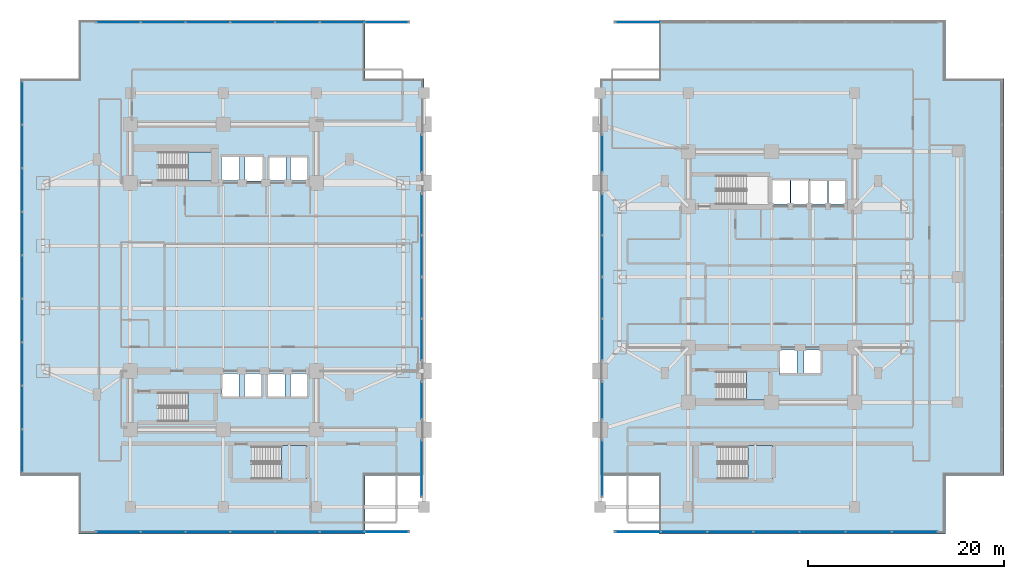
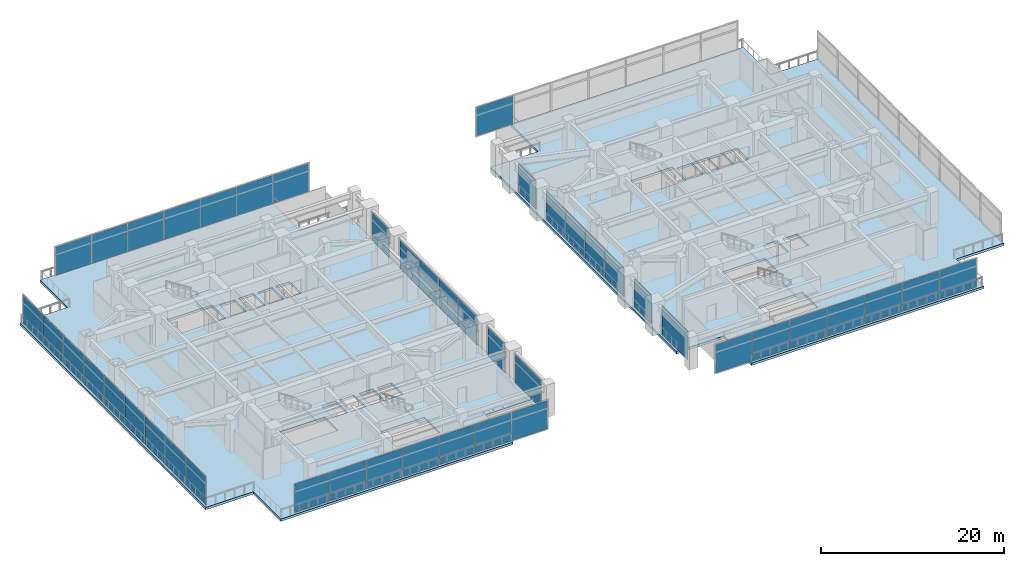
# One storey, part 14 of 31: 45 plates, 7 slabs, 18 elements without a shape of their own.
"""IFC4 building model written with IfcOpenShell, lengths in metres."""

from ifc_helpers import new_model, si_unit, direction, frame, origin, origin_2d, place, context, subcontext, project, spatial, polyline, rectangle, outline, extrude, material, layer, layer_set, type_object, element, aggregate, save


model = new_model("IFC4")

# Units and contexts
model_context = context("Model", 3, precision=1e-05, world=origin(), true_north=direction((0.0, 1.0)))
body_context = subcontext(model_context, "Body", "Model", "MODEL_VIEW")
ifc_project = project(units=[si_unit("LENGTHUNIT", "METRE"), si_unit("AREAUNIT", "SQUARE_METRE"), si_unit("VOLUMEUNIT", "CUBIC_METRE"), si_unit("PLANEANGLEUNIT", "RADIAN"), si_unit("MASSUNIT", "GRAM", prefix="KILO")], contexts=[model_context])

# Site, building, storey
site_placement = place(None, origin())
site = spatial("IfcSite", under=ifc_project, at=site_placement, CompositionType="ELEMENT")
building_placement = place(site_placement, origin())
building = spatial("IfcBuilding", under=site, at=building_placement, Name="Mirazonda Arch Towers", CompositionType="ELEMENT")
storey_placement = place(building_placement, frame((0.0, 0.0, 5.199951171875)))
storey = spatial("IfcBuildingStorey", under=building, at=storey_placement, Name="L01", CompositionType="ELEMENT", Elevation=5.199951171875)

# Curtain wall, plate
ifc_material_1 = material(Name="Anodised Aluminium and Low-E Glass", Category="aluminium")
curtain_wall_type_1 = type_object("IfcCurtainWallType", Name="CW-ARCH-GLAZE", PredefinedType="NOTDEFINED", material=ifc_material_1)
curtain_wall_1_placement = place(storey_placement, origin())
curtain_wall_1 = element("IfcCurtainWall", 1, at=curtain_wall_1_placement, inside=storey, type_object=curtain_wall_type_1, Name="L01 Curtain Wall CW-L01-AW-S1", PredefinedType="NOTDEFINED")
ifc_material_2 = material(Name="Insulated Low-E Solar Glass", Category="glass")
ifc_layer_1 = layer(ifc_material_2, 0.031982421875, Name="PAN-CW-ARCH-GLAZE")
ifc_layer_set_1 = layer_set([ifc_layer_1], Name="Insulated Low-E Solar Glass")
plate_type_1 = type_object("IfcPlateType", Name="PAN-CW-ARCH-GLAZE", PredefinedType="CURTAIN_PANEL", material=ifc_layer_set_1)
plate_1_placement = place(storey_placement, frame((40.780029296875, 40.60009765625, 0.08984375), z_axis=(0.0, 0.0, 1.0), x_axis=(0.0, -1.0, 0.0)))
plate_1 = element("IfcPlate", 2, at=plate_1_placement, type_object=plate_type_1, Name="CW-106 panel 1.1", PredefinedType="CURTAIN_PANEL", context=body_context, shape_type="SweptSolid", body=[
    extrude(rectangle(XDim=3.739990234375, YDim=0.031982421875, at=origin_2d()), origin(), (0.0, 0.0, 1.0), 3.780029296875),
])
aggregate(curtain_wall_1, [plate_1])

# Curtain wall, plates
curtain_wall_2_placement = place(storey_placement, origin())
curtain_wall_2 = element("IfcCurtainWall", 3, at=curtain_wall_2_placement, inside=storey, type_object=curtain_wall_type_1, Name="L01 Curtain Wall CW-L01-AW-S2", PredefinedType="NOTDEFINED")
plate_2_placement = place(storey_placement, frame((40.780029296875, 34.3974609375, 0.08984375), z_axis=(0.0, 0.0, 1.0), x_axis=(0.0, -1.0, 0.0)))
plate_2 = element("IfcPlate", 4, at=plate_2_placement, type_object=plate_type_1, Name="CW-106 panel 1.1", PredefinedType="CURTAIN_PANEL", context=body_context, shape_type="SweptSolid", body=[
    extrude(rectangle(XDim=4.14501953125, YDim=0.031982421875, at=origin_2d()), origin(), (0.0, 0.0, 1.0), 3.780029296875),
])
plate_3_placement = place(storey_placement, frame((40.780029296875, 30.139892578125, 0.08984375), z_axis=(0.0, 0.0, 1.0), x_axis=(0.0, -1.0, 0.0)))
plate_3 = element("IfcPlate", 5, at=plate_3_placement, type_object=plate_type_1, Name="CW-106 panel 2.1", PredefinedType="CURTAIN_PANEL", context=body_context, shape_type="SweptSolid", body=[
    extrude(rectangle(XDim=4.18994140625, YDim=0.031982421875, at=origin_2d()), origin(), (0.0, 0.0, 1.0), 3.780029296875),
])
plate_4_placement = place(storey_placement, frame((40.780029296875, 25.860107421875, 0.08984375), z_axis=(0.0, 0.0, 1.0), x_axis=(0.0, -1.0, 0.0)))
plate_4 = element("IfcPlate", 6, at=plate_4_placement, type_object=plate_type_1, Name="CW-106 panel 3.1", PredefinedType="CURTAIN_PANEL", context=body_context, shape_type="SweptSolid", body=[
    extrude(rectangle(XDim=4.18994140625, YDim=0.031982421875, at=origin_2d()), origin(), (0.0, 0.0, 1.0), 3.780029296875),
])
plate_5_placement = place(storey_placement, frame((40.780029296875, 21.6025390625, 0.08984375), z_axis=(0.0, 0.0, 1.0), x_axis=(0.0, -1.0, 0.0)))
plate_5 = element("IfcPlate", 7, at=plate_5_placement, type_object=plate_type_1, Name="CW-106 panel 4.1", PredefinedType="CURTAIN_PANEL", context=body_context, shape_type="SweptSolid", body=[
    extrude(rectangle(XDim=4.14501953125, YDim=0.031982421875, at=origin_2d()), origin(), (0.0, 0.0, 1.0), 3.780029296875),
])
aggregate(curtain_wall_2, [plate_2, plate_3, plate_4, plate_5])

# Curtain wall, plate
curtain_wall_3_placement = place(storey_placement, origin())
curtain_wall_3 = element("IfcCurtainWall", 8, at=curtain_wall_3_placement, inside=storey, type_object=curtain_wall_type_1, Name="L01 Curtain Wall CW-L01-AW-S3", PredefinedType="NOTDEFINED")
plate_6_placement = place(storey_placement, frame((40.780029296875, 15.39990234375, 0.08984375), z_axis=(0.0, 0.0, 1.0), x_axis=(0.0, -1.0, 0.0)))
plate_6 = element("IfcPlate", 9, at=plate_6_placement, type_object=plate_type_1, Name="CW-106 panel 1.1", PredefinedType="CURTAIN_PANEL", context=body_context, shape_type="SweptSolid", body=[
    extrude(rectangle(XDim=3.739990234375, YDim=0.031982421875, at=origin_2d()), origin(), (0.0, 0.0, 1.0), 3.780029296875),
])
aggregate(curtain_wall_3, [plate_6])

curtain_wall_4_placement = place(storey_placement, origin())
curtain_wall_4 = element("IfcCurtainWall", 10, at=curtain_wall_4_placement, inside=storey, type_object=curtain_wall_type_1, Name="L01 Curtain Wall CW-L01-AW-S4", PredefinedType="NOTDEFINED")
plate_7_placement = place(storey_placement, frame((40.780029296875, 8.429931640625, 0.08984375), z_axis=(0.0, 0.0, 1.0), x_axis=(0.0, -1.0, 0.0)))
plate_7 = element("IfcPlate", 11, at=plate_7_placement, type_object=plate_type_1, Name="CW-106 panel 1.1", PredefinedType="CURTAIN_PANEL", context=body_context, shape_type="SweptSolid", body=[
    extrude(rectangle(XDim=5.679931640625, YDim=0.031982421875, at=origin_2d()), origin(), (0.0, 0.0, 1.0), 3.780029296875),
])
aggregate(curtain_wall_4, [plate_7])

curtain_wall_5_placement = place(storey_placement, origin())
curtain_wall_5 = element("IfcCurtainWall", 12, at=curtain_wall_5_placement, inside=storey, type_object=curtain_wall_type_1, Name="L01 Curtain Wall CW-L01-AE-S1", PredefinedType="NOTDEFINED")
plate_8_placement = place(storey_placement, frame((59.219970703125, 8.429931640625, 0.08984375), z_axis=(0.0, 0.0, 1.0), x_axis=(0.0, 1.0, 0.0)))
plate_8 = element("IfcPlate", 13, at=plate_8_placement, type_object=plate_type_1, Name="CW-106 panel 1.1", PredefinedType="CURTAIN_PANEL", context=body_context, shape_type="SweptSolid", body=[
    extrude(rectangle(XDim=5.679931640625, YDim=0.031982421875, at=origin_2d()), origin(), (0.0, 0.0, 1.0), 3.780029296875),
])
aggregate(curtain_wall_5, [plate_8])

curtain_wall_6_placement = place(storey_placement, origin())
curtain_wall_6 = element("IfcCurtainWall", 14, at=curtain_wall_6_placement, inside=storey, type_object=curtain_wall_type_1, Name="L01 Curtain Wall CW-L01-AE-S2", PredefinedType="NOTDEFINED")
plate_9_placement = place(storey_placement, frame((59.219970703125, 15.39990234375, 0.08984375), z_axis=(0.0, 0.0, 1.0), x_axis=(0.0, 1.0, 0.0)))
plate_9 = element("IfcPlate", 15, at=plate_9_placement, type_object=plate_type_1, Name="CW-106 panel 1.1", PredefinedType="CURTAIN_PANEL", context=body_context, shape_type="SweptSolid", body=[
    extrude(rectangle(XDim=3.739990234375, YDim=0.031982421875, at=origin_2d()), origin(), (0.0, 0.0, 1.0), 3.780029296875),
])
aggregate(curtain_wall_6, [plate_9])

# Curtain wall, plates
curtain_wall_7_placement = place(storey_placement, origin())
curtain_wall_7 = element("IfcCurtainWall", 16, at=curtain_wall_7_placement, inside=storey, type_object=curtain_wall_type_1, Name="L01 Curtain Wall CW-L01-AE-S3", PredefinedType="NOTDEFINED")
plate_10_placement = place(storey_placement, frame((59.219970703125, 21.6025390625, 0.08984375), z_axis=(0.0, 0.0, 1.0), x_axis=(0.0, 1.0, 0.0)))
plate_10 = element("IfcPlate", 17, at=plate_10_placement, type_object=plate_type_1, Name="CW-106 panel 1.1", PredefinedType="CURTAIN_PANEL", context=body_context, shape_type="SweptSolid", body=[
    extrude(rectangle(XDim=4.14501953125, YDim=0.031982421875, at=origin_2d()), origin(), (0.0, 0.0, 1.0), 3.780029296875),
])
plate_11_placement = place(storey_placement, frame((59.219970703125, 25.860107421875, 0.08984375), z_axis=(0.0, 0.0, 1.0), x_axis=(0.0, 1.0, 0.0)))
plate_11 = element("IfcPlate", 18, at=plate_11_placement, type_object=plate_type_1, Name="CW-106 panel 2.1", PredefinedType="CURTAIN_PANEL", context=body_context, shape_type="SweptSolid", body=[
    extrude(rectangle(XDim=4.18994140625, YDim=0.031982421875, at=origin_2d()), origin(), (0.0, 0.0, 1.0), 3.780029296875),
])
plate_12_placement = place(storey_placement, frame((59.219970703125, 30.139892578125, 0.08984375), z_axis=(0.0, 0.0, 1.0), x_axis=(0.0, 1.0, 0.0)))
plate_12 = element("IfcPlate", 19, at=plate_12_placement, type_object=plate_type_1, Name="CW-106 panel 3.1", PredefinedType="CURTAIN_PANEL", context=body_context, shape_type="SweptSolid", body=[
    extrude(rectangle(XDim=4.18994140625, YDim=0.031982421875, at=origin_2d()), origin(), (0.0, 0.0, 1.0), 3.780029296875),
])
plate_13_placement = place(storey_placement, frame((59.219970703125, 34.3974609375, 0.08984375), z_axis=(0.0, 0.0, 1.0), x_axis=(0.0, 1.0, 0.0)))
plate_13 = element("IfcPlate", 20, at=plate_13_placement, type_object=plate_type_1, Name="CW-106 panel 4.1", PredefinedType="CURTAIN_PANEL", context=body_context, shape_type="SweptSolid", body=[
    extrude(rectangle(XDim=4.14501953125, YDim=0.031982421875, at=origin_2d()), origin(), (0.0, 0.0, 1.0), 3.780029296875),
])
aggregate(curtain_wall_7, [plate_10, plate_11, plate_12, plate_13])

# Curtain wall, plate
curtain_wall_8_placement = place(storey_placement, origin())
curtain_wall_8 = element("IfcCurtainWall", 21, at=curtain_wall_8_placement, inside=storey, type_object=curtain_wall_type_1, Name="L01 Curtain Wall CW-L01-AE-S4", PredefinedType="NOTDEFINED")
plate_14_placement = place(storey_placement, frame((59.219970703125, 40.60009765625, 0.08984375), z_axis=(0.0, 0.0, 1.0), x_axis=(0.0, 1.0, 0.0)))
plate_14 = element("IfcPlate", 22, at=plate_14_placement, type_object=plate_type_1, Name="CW-106 panel 1.1", PredefinedType="CURTAIN_PANEL", context=body_context, shape_type="SweptSolid", body=[
    extrude(rectangle(XDim=3.739990234375, YDim=0.031982421875, at=origin_2d()), origin(), (0.0, 0.0, 1.0), 3.780029296875),
])
aggregate(curtain_wall_8, [plate_14])

# Curtain wall, plates
curtain_wall_type_2 = type_object("IfcCurtainWallType", Name="CW-POD-STORE", PredefinedType="NOTDEFINED", material=ifc_material_1)
curtain_wall_9_placement = place(storey_placement, origin())
curtain_wall_9 = element("IfcCurtainWall", 23, at=curtain_wall_9_placement, inside=storey, type_object=curtain_wall_type_2, Name="L01 Curtain Wall CW-L01-WS", PredefinedType="NOTDEFINED")
ifc_layer_2 = layer(ifc_material_2, 0.028076171875, Name="PAN-CW-POD-STORE")
ifc_layer_set_2 = layer_set([ifc_layer_2], Name="Insulated Low-E Solar Glass")
plate_type_2 = type_object("IfcPlateType", Name="PAN-CW-POD-STORE", PredefinedType="CURTAIN_PANEL", material=ifc_layer_set_2)
plate_15_placement = place(storey_placement, frame((37.1943359375, 1.969970703125, 0.080078125), z_axis=(0.0, 0.0, 1.0), x_axis=(-1.0, 0.0, 0.0)))
plate_15 = element("IfcPlate", 24, at=plate_15_placement, type_object=plate_type_2, Name="CW-102 panel 1.1", PredefinedType="CURTAIN_PANEL", context=body_context, shape_type="SweptSolid", body=[
    extrude(rectangle(XDim=4.451416015625, YDim=0.028076171875, at=origin_2d()), origin(), (0.0, 0.0, 1.0), 3.800048828125),
])
plate_16_placement = place(storey_placement, frame((32.642822265625, 1.969970703125, 0.080078125), z_axis=(0.0, 0.0, 1.0), x_axis=(-1.0, 0.0, 0.0)))
plate_16 = element("IfcPlate", 25, at=plate_16_placement, type_object=plate_type_2, Name="CW-102 panel 2.1", PredefinedType="CURTAIN_PANEL", context=body_context, shape_type="SweptSolid", body=[
    extrude(rectangle(XDim=4.491455078125, YDim=0.028076171875, at=origin_2d()), origin(), (0.0, 0.0, 1.0), 3.800048828125),
])
plate_17_placement = place(storey_placement, frame((28.071533203125, 1.969970703125, 0.080078125), z_axis=(0.0, 0.0, 1.0), x_axis=(-1.0, 0.0, 0.0)))
plate_17 = element("IfcPlate", 26, at=plate_17_placement, type_object=plate_type_2, Name="CW-102 panel 3.1", PredefinedType="CURTAIN_PANEL", context=body_context, shape_type="SweptSolid", body=[
    extrude(rectangle(XDim=4.491455078125, YDim=0.028076171875, at=origin_2d()), origin(), (0.0, 0.0, 1.0), 3.800048828125),
])
plate_18_placement = place(storey_placement, frame((23.5, 1.969970703125, 0.080078125), z_axis=(0.0, 0.0, 1.0), x_axis=(-1.0, 0.0, 0.0)))
plate_18 = element("IfcPlate", 27, at=plate_18_placement, type_object=plate_type_2, Name="CW-102 panel 4.1", PredefinedType="CURTAIN_PANEL", context=body_context, shape_type="SweptSolid", body=[
    extrude(rectangle(XDim=4.491455078125, YDim=0.028076171875, at=origin_2d()), origin(), (0.0, 0.0, 1.0), 3.800048828125),
])
plate_19_placement = place(storey_placement, frame((18.928466796875, 1.969970703125, 0.080078125), z_axis=(0.0, 0.0, 1.0), x_axis=(-1.0, 0.0, 0.0)))
plate_19 = element("IfcPlate", 28, at=plate_19_placement, type_object=plate_type_2, Name="CW-102 panel 5.1", PredefinedType="CURTAIN_PANEL", context=body_context, shape_type="SweptSolid", body=[
    extrude(rectangle(XDim=4.491455078125, YDim=0.028076171875, at=origin_2d()), origin(), (0.0, 0.0, 1.0), 3.800048828125),
])
plate_20_placement = place(storey_placement, frame((14.357177734375, 1.969970703125, 0.080078125), z_axis=(0.0, 0.0, 1.0), x_axis=(-1.0, 0.0, 0.0)))
plate_20 = element("IfcPlate", 29, at=plate_20_placement, type_object=plate_type_2, Name="CW-102 panel 6.1", PredefinedType="CURTAIN_PANEL", context=body_context, shape_type="SweptSolid", body=[
    extrude(rectangle(XDim=4.491455078125, YDim=0.028076171875, at=origin_2d()), origin(), (0.0, 0.0, 1.0), 3.800048828125),
])
plate_21_placement = place(storey_placement, frame((9.8056640625, 1.969970703125, 0.080078125), z_axis=(0.0, 0.0, 1.0), x_axis=(-1.0, 0.0, 0.0)))
plate_21 = element("IfcPlate", 30, at=plate_21_placement, type_object=plate_type_2, Name="CW-102 panel 7.1", PredefinedType="CURTAIN_PANEL", context=body_context, shape_type="SweptSolid", body=[
    extrude(rectangle(XDim=4.451416015625, YDim=0.028076171875, at=origin_2d()), origin(), (0.0, 0.0, 1.0), 3.800048828125),
])
aggregate(curtain_wall_9, [plate_15, plate_16, plate_17, plate_18, plate_19, plate_20, plate_21])

curtain_wall_10_placement = place(storey_placement, origin())
curtain_wall_10 = element("IfcCurtainWall", 31, at=curtain_wall_10_placement, inside=storey, type_object=curtain_wall_type_2, Name="L01 Curtain Wall CW-L01-ES", PredefinedType="NOTDEFINED")
plate_22_placement = place(storey_placement, frame((91.122802734375, 1.969970703125, 0.080078125), z_axis=(0.0, 0.0, 1.0), x_axis=(-1.0, 0.0, 0.0)))
plate_22 = element("IfcPlate", 32, at=plate_22_placement, type_object=plate_type_2, Name="CW-102 panel 1.1", PredefinedType="CURTAIN_PANEL", context=body_context, shape_type="SweptSolid", body=[
    extrude(rectangle(XDim=4.59423828125, YDim=0.028076171875, at=origin_2d()), origin(), (0.0, 0.0, 1.0), 3.800048828125),
])
plate_23_placement = place(storey_placement, frame((86.428466796875, 1.969970703125, 0.080078125), z_axis=(0.0, 0.0, 1.0), x_axis=(-1.0, 0.0, 0.0)))
plate_23 = element("IfcPlate", 33, at=plate_23_placement, type_object=plate_type_2, Name="CW-102 panel 2.1", PredefinedType="CURTAIN_PANEL", context=body_context, shape_type="SweptSolid", body=[
    extrude(rectangle(XDim=4.63427734375, YDim=0.028076171875, at=origin_2d()), origin(), (0.0, 0.0, 1.0), 3.800048828125),
])
plate_24_placement = place(storey_placement, frame((81.71435546875, 1.969970703125, 0.080078125), z_axis=(0.0, 0.0, 1.0), x_axis=(-1.0, 0.0, 0.0)))
plate_24 = element("IfcPlate", 34, at=plate_24_placement, type_object=plate_type_2, Name="CW-102 panel 3.1", PredefinedType="CURTAIN_PANEL", context=body_context, shape_type="SweptSolid", body=[
    extrude(rectangle(XDim=4.63427734375, YDim=0.028076171875, at=origin_2d()), origin(), (0.0, 0.0, 1.0), 3.800048828125),
])
plate_25_placement = place(storey_placement, frame((77.0, 1.969970703125, 0.080078125), z_axis=(0.0, 0.0, 1.0), x_axis=(-1.0, 0.0, 0.0)))
plate_25 = element("IfcPlate", 35, at=plate_25_placement, type_object=plate_type_2, Name="CW-102 panel 4.1", PredefinedType="CURTAIN_PANEL", context=body_context, shape_type="SweptSolid", body=[
    extrude(rectangle(XDim=4.63427734375, YDim=0.028076171875, at=origin_2d()), origin(), (0.0, 0.0, 1.0), 3.800048828125),
])
plate_26_placement = place(storey_placement, frame((72.28564453125, 1.969970703125, 0.080078125), z_axis=(0.0, 0.0, 1.0), x_axis=(-1.0, 0.0, 0.0)))
plate_26 = element("IfcPlate", 36, at=plate_26_placement, type_object=plate_type_2, Name="CW-102 panel 5.1", PredefinedType="CURTAIN_PANEL", context=body_context, shape_type="SweptSolid", body=[
    extrude(rectangle(XDim=4.63427734375, YDim=0.028076171875, at=origin_2d()), origin(), (0.0, 0.0, 1.0), 3.800048828125),
])
plate_27_placement = place(storey_placement, frame((67.571533203125, 1.969970703125, 0.080078125), z_axis=(0.0, 0.0, 1.0), x_axis=(-1.0, 0.0, 0.0)))
plate_27 = element("IfcPlate", 37, at=plate_27_placement, type_object=plate_type_2, Name="CW-102 panel 6.1", PredefinedType="CURTAIN_PANEL", context=body_context, shape_type="SweptSolid", body=[
    extrude(rectangle(XDim=4.63427734375, YDim=0.028076171875, at=origin_2d()), origin(), (0.0, 0.0, 1.0), 3.800048828125),
])
plate_28_placement = place(storey_placement, frame((62.877197265625, 1.969970703125, 0.080078125), z_axis=(0.0, 0.0, 1.0), x_axis=(-1.0, 0.0, 0.0)))
plate_28 = element("IfcPlate", 38, at=plate_28_placement, type_object=plate_type_2, Name="CW-102 panel 7.1", PredefinedType="CURTAIN_PANEL", context=body_context, shape_type="SweptSolid", body=[
    extrude(rectangle(XDim=4.59423828125, YDim=0.028076171875, at=origin_2d()), origin(), (0.0, 0.0, 1.0), 3.800048828125),
])
aggregate(curtain_wall_10, [plate_22, plate_23, plate_24, plate_25, plate_26, plate_27, plate_28])

curtain_wall_11_placement = place(storey_placement, origin())
curtain_wall_11 = element("IfcCurtainWall", 39, at=curtain_wall_11_placement, inside=storey, type_object=curtain_wall_type_2, Name="L01 Curtain Wall CW-L01-WN", PredefinedType="NOTDEFINED")
plate_29_placement = place(storey_placement, frame((9.8056640625, 54.030029296875, 0.080078125), z_axis=(0.0, 0.0, 1.0), x_axis=(1.0, 0.0, 0.0)))
plate_29 = element("IfcPlate", 40, at=plate_29_placement, type_object=plate_type_2, Name="CW-102 panel 1.1", PredefinedType="CURTAIN_PANEL", context=body_context, shape_type="SweptSolid", body=[
    extrude(rectangle(XDim=4.451416015625, YDim=0.028076171875, at=origin_2d()), origin(), (0.0, 0.0, 1.0), 3.800048828125),
])
plate_30_placement = place(storey_placement, frame((14.357177734375, 54.030029296875, 0.080078125), z_axis=(0.0, 0.0, 1.0), x_axis=(1.0, 0.0, 0.0)))
plate_30 = element("IfcPlate", 41, at=plate_30_placement, type_object=plate_type_2, Name="CW-102 panel 2.1", PredefinedType="CURTAIN_PANEL", context=body_context, shape_type="SweptSolid", body=[
    extrude(rectangle(XDim=4.491455078125, YDim=0.028076171875, at=origin_2d()), origin(), (0.0, 0.0, 1.0), 3.800048828125),
])
plate_31_placement = place(storey_placement, frame((18.928466796875, 54.030029296875, 0.080078125), z_axis=(0.0, 0.0, 1.0), x_axis=(1.0, 0.0, 0.0)))
plate_31 = element("IfcPlate", 42, at=plate_31_placement, type_object=plate_type_2, Name="CW-102 panel 3.1", PredefinedType="CURTAIN_PANEL", context=body_context, shape_type="SweptSolid", body=[
    extrude(rectangle(XDim=4.491455078125, YDim=0.028076171875, at=origin_2d()), origin(), (0.0, 0.0, 1.0), 3.800048828125),
])
plate_32_placement = place(storey_placement, frame((23.5, 54.030029296875, 0.080078125), z_axis=(0.0, 0.0, 1.0), x_axis=(1.0, 0.0, 0.0)))
plate_32 = element("IfcPlate", 43, at=plate_32_placement, type_object=plate_type_2, Name="CW-102 panel 4.1", PredefinedType="CURTAIN_PANEL", context=body_context, shape_type="SweptSolid", body=[
    extrude(rectangle(XDim=4.491455078125, YDim=0.028076171875, at=origin_2d()), origin(), (0.0, 0.0, 1.0), 3.800048828125),
])
plate_33_placement = place(storey_placement, frame((28.071533203125, 54.030029296875, 0.080078125), z_axis=(0.0, 0.0, 1.0), x_axis=(1.0, 0.0, 0.0)))
plate_33 = element("IfcPlate", 44, at=plate_33_placement, type_object=plate_type_2, Name="CW-102 panel 5.1", PredefinedType="CURTAIN_PANEL", context=body_context, shape_type="SweptSolid", body=[
    extrude(rectangle(XDim=4.491455078125, YDim=0.028076171875, at=origin_2d()), origin(), (0.0, 0.0, 1.0), 3.800048828125),
])
plate_34_placement = place(storey_placement, frame((32.642822265625, 54.030029296875, 0.080078125), z_axis=(0.0, 0.0, 1.0), x_axis=(1.0, 0.0, 0.0)))
plate_34 = element("IfcPlate", 45, at=plate_34_placement, type_object=plate_type_2, Name="CW-102 panel 6.1", PredefinedType="CURTAIN_PANEL", context=body_context, shape_type="SweptSolid", body=[
    extrude(rectangle(XDim=4.491455078125, YDim=0.028076171875, at=origin_2d()), origin(), (0.0, 0.0, 1.0), 3.800048828125),
])
plate_35_placement = place(storey_placement, frame((37.1943359375, 54.030029296875, 0.080078125), z_axis=(0.0, 0.0, 1.0), x_axis=(1.0, 0.0, 0.0)))
plate_35 = element("IfcPlate", 46, at=plate_35_placement, type_object=plate_type_2, Name="CW-102 panel 7.1", PredefinedType="CURTAIN_PANEL", context=body_context, shape_type="SweptSolid", body=[
    extrude(rectangle(XDim=4.451416015625, YDim=0.028076171875, at=origin_2d()), origin(), (0.0, 0.0, 1.0), 3.800048828125),
])
aggregate(curtain_wall_11, [plate_29, plate_30, plate_31, plate_32, plate_33, plate_34, plate_35])

# Curtain wall, plate
curtain_wall_12_placement = place(storey_placement, origin())
curtain_wall_12 = element("IfcCurtainWall", 47, at=curtain_wall_12_placement, inside=storey, type_object=curtain_wall_type_2, Name="L01 Curtain Wall CW-L01-EN", PredefinedType="NOTDEFINED")
plate_36_placement = place(storey_placement, frame((62.877197265625, 54.030029296875, 0.080078125), z_axis=(0.0, 0.0, 1.0), x_axis=(1.0, 0.0, 0.0)))
plate_36 = element("IfcPlate", 48, at=plate_36_placement, type_object=plate_type_2, Name="CW-102 panel 1.1", PredefinedType="CURTAIN_PANEL", context=body_context, shape_type="SweptSolid", body=[
    extrude(rectangle(XDim=4.59423828125, YDim=0.028076171875, at=origin_2d()), origin(), (0.0, 0.0, 1.0), 3.800048828125),
])
aggregate(curtain_wall_12, [plate_36])

# Curtain wall, plates
curtain_wall_13_placement = place(storey_placement, origin())
curtain_wall_13 = element("IfcCurtainWall", 49, at=curtain_wall_13_placement, inside=storey, type_object=curtain_wall_type_2, Name="L01 Curtain Wall CW-L01-WW", PredefinedType="NOTDEFINED")
plate_37_placement = place(storey_placement, frame((-0.030029296875, 45.7578125, 0.080078125), z_axis=(0.0, 0.0, 1.0), x_axis=(0.0, -1.0, 0.0)))
plate_37 = element("IfcPlate", 50, at=plate_37_placement, type_object=plate_type_2, Name="CW-102 panel 1.1", PredefinedType="CURTAIN_PANEL", context=body_context, shape_type="SweptSolid", body=[
    extrude(rectangle(XDim=4.324462890625, YDim=0.028076171875, at=origin_2d()), origin(), (0.0, 0.0, 1.0), 3.800048828125),
])
plate_38_placement = place(storey_placement, frame((-0.030029296875, 41.333251953125, 0.080078125), z_axis=(0.0, 0.0, 1.0), x_axis=(0.0, -1.0, 0.0)))
plate_38 = element("IfcPlate", 51, at=plate_38_placement, type_object=plate_type_2, Name="CW-102 panel 2.1", PredefinedType="CURTAIN_PANEL", context=body_context, shape_type="SweptSolid", body=[
    extrude(rectangle(XDim=4.364501953125, YDim=0.028076171875, at=origin_2d()), origin(), (0.0, 0.0, 1.0), 3.800048828125),
])
plate_39_placement = place(storey_placement, frame((-0.030029296875, 36.888916015625, 0.080078125), z_axis=(0.0, 0.0, 1.0), x_axis=(0.0, -1.0, 0.0)))
plate_39 = element("IfcPlate", 52, at=plate_39_placement, type_object=plate_type_2, Name="CW-102 panel 3.1", PredefinedType="CURTAIN_PANEL", context=body_context, shape_type="SweptSolid", body=[
    extrude(rectangle(XDim=4.364501953125, YDim=0.028076171875, at=origin_2d()), origin(), (0.0, 0.0, 1.0), 3.800048828125),
])
plate_40_placement = place(storey_placement, frame((-0.030029296875, 32.4443359375, 0.080078125), z_axis=(0.0, 0.0, 1.0), x_axis=(0.0, -1.0, 0.0)))
plate_40 = element("IfcPlate", 53, at=plate_40_placement, type_object=plate_type_2, Name="CW-102 panel 4.1", PredefinedType="CURTAIN_PANEL", context=body_context, shape_type="SweptSolid", body=[
    extrude(rectangle(XDim=4.364501953125, YDim=0.028076171875, at=origin_2d()), origin(), (0.0, 0.0, 1.0), 3.800048828125),
])
plate_41_placement = place(storey_placement, frame((-0.030029296875, 28.0, 0.080078125), z_axis=(0.0, 0.0, 1.0), x_axis=(0.0, -1.0, 0.0)))
plate_41 = element("IfcPlate", 54, at=plate_41_placement, type_object=plate_type_2, Name="CW-102 panel 5.1", PredefinedType="CURTAIN_PANEL", context=body_context, shape_type="SweptSolid", body=[
    extrude(rectangle(XDim=4.364501953125, YDim=0.028076171875, at=origin_2d()), origin(), (0.0, 0.0, 1.0), 3.800048828125),
])
plate_42_placement = place(storey_placement, frame((-0.030029296875, 23.5556640625, 0.080078125), z_axis=(0.0, 0.0, 1.0), x_axis=(0.0, -1.0, 0.0)))
plate_42 = element("IfcPlate", 55, at=plate_42_placement, type_object=plate_type_2, Name="CW-102 panel 6.1", PredefinedType="CURTAIN_PANEL", context=body_context, shape_type="SweptSolid", body=[
    extrude(rectangle(XDim=4.364501953125, YDim=0.028076171875, at=origin_2d()), origin(), (0.0, 0.0, 1.0), 3.800048828125),
])
plate_43_placement = place(storey_placement, frame((-0.030029296875, 19.111083984375, 0.080078125), z_axis=(0.0, 0.0, 1.0), x_axis=(0.0, -1.0, 0.0)))
plate_43 = element("IfcPlate", 56, at=plate_43_placement, type_object=plate_type_2, Name="CW-102 panel 7.1", PredefinedType="CURTAIN_PANEL", context=body_context, shape_type="SweptSolid", body=[
    extrude(rectangle(XDim=4.364501953125, YDim=0.028076171875, at=origin_2d()), origin(), (0.0, 0.0, 1.0), 3.800048828125),
])
plate_44_placement = place(storey_placement, frame((-0.030029296875, 14.666748046875, 0.080078125), z_axis=(0.0, 0.0, 1.0), x_axis=(0.0, -1.0, 0.0)))
plate_44 = element("IfcPlate", 57, at=plate_44_placement, type_object=plate_type_2, Name="CW-102 panel 8.1", PredefinedType="CURTAIN_PANEL", context=body_context, shape_type="SweptSolid", body=[
    extrude(rectangle(XDim=4.364501953125, YDim=0.028076171875, at=origin_2d()), origin(), (0.0, 0.0, 1.0), 3.800048828125),
])
plate_45_placement = place(storey_placement, frame((-0.030029296875, 10.2421875, 0.080078125), z_axis=(0.0, 0.0, 1.0), x_axis=(0.0, -1.0, 0.0)))
plate_45 = element("IfcPlate", 58, at=plate_45_placement, type_object=plate_type_2, Name="CW-102 panel 9.1", PredefinedType="CURTAIN_PANEL", context=body_context, shape_type="SweptSolid", body=[
    extrude(rectangle(XDim=4.324462890625, YDim=0.028076171875, at=origin_2d()), origin(), (0.0, 0.0, 1.0), 3.800048828125),
])
aggregate(curtain_wall_13, [plate_37, plate_38, plate_39, plate_40, plate_41, plate_42, plate_43, plate_44, plate_45])

# Stair, slab
ifc_material_3 = material(Name="Concrete C40/50", Category="concrete")
stair_type_1 = type_object("IfcStairType", Name="STAIR-CORE-1400", PredefinedType="HALF_TURN_STAIR", material=ifc_material_3)
stair_1_placement = place(storey_placement, origin())
stair_1 = element("IfcStair", 59, at=stair_1_placement, inside=storey, type_object=stair_type_1, Name="L01 Protected Exit Stair ST-T1N", PredefinedType="HALF_TURN_STAIR")
ifc_layer_3 = layer(ifc_material_3, 0.18994140625, Name="SLAB-LANDING-190")
ifc_layer_set_3 = layer_set([ifc_layer_3], Name="Concrete C40/50")
slab_type_1 = type_object("IfcSlabType", Name="SLAB-LANDING-190", PredefinedType="LANDING", material=ifc_layer_set_3)
slab_1_placement = place(storey_placement, frame((0.0, 0.0, 1.949951171875)))
slab_1 = element("IfcSlab", 60, at=slab_1_placement, type_object=slab_type_1, Name="ST-T1N landing 1", PredefinedType="LANDING", context=body_context, shape_type="SweptSolid", body=[
    extrude(outline(polyline([(16.929931640625, 37.820068359375), (19.60009765625, 37.820068359375), (19.60009765625, 40.760009765625), (16.929931640625, 40.760009765625), (16.929931640625, 37.820068359375)])), origin(), (0.0, 0.0, 1.0), 0.2001953125),
])
aggregate(stair_1, [slab_1])

stair_2_placement = place(storey_placement, origin())
stair_2 = element("IfcStair", 61, at=stair_2_placement, inside=storey, type_object=stair_type_1, Name="L01 Protected Exit Stair ST-T1S", PredefinedType="HALF_TURN_STAIR")
slab_2_placement = place(storey_placement, frame((0.0, 0.0, 1.949951171875)))
slab_2 = element("IfcSlab", 62, at=slab_2_placement, type_object=slab_type_1, Name="ST-T1S landing 1", PredefinedType="LANDING", context=body_context, shape_type="SweptSolid", body=[
    extrude(outline(polyline([(16.929931640625, 13.25), (19.60009765625, 13.25), (19.60009765625, 16.18994140625), (16.929931640625, 16.18994140625), (16.929931640625, 13.25)])), origin(), (0.0, 0.0, 1.0), 0.2001953125),
])
aggregate(stair_2, [slab_2])

stair_3_placement = place(storey_placement, origin())
stair_3 = element("IfcStair", 63, at=stair_3_placement, inside=storey, type_object=stair_type_1, Name="L01 Protected Exit Stair ST-T2S", PredefinedType="HALF_TURN_STAIR")
slab_3_placement = place(storey_placement, frame((0.0, 0.0, 1.949951171875)))
slab_3 = element("IfcSlab", 64, at=slab_3_placement, type_object=slab_type_1, Name="ST-T2S landing 1", PredefinedType="LANDING", context=body_context, shape_type="SweptSolid", body=[
    extrude(outline(polyline([(73.929931640625, 15.419921875), (76.22998046875, 15.419921875), (76.22998046875, 18.360107421875), (73.929931640625, 18.360107421875), (73.929931640625, 15.419921875)])), origin(), (0.0, 0.0, 1.0), 0.2001953125),
])
aggregate(stair_3, [slab_3])

stair_type_2 = type_object("IfcStairType", Name="STAIR-POD-1600", PredefinedType="HALF_TURN_STAIR", material=ifc_material_3)
stair_4_placement = place(storey_placement, origin())
stair_4 = element("IfcStair", 65, at=stair_4_placement, inside=storey, type_object=stair_type_2, Name="L01 Protected Exit Stair ST-POD1", PredefinedType="HALF_TURN_STAIR")
slab_4_placement = place(storey_placement, frame((0.0, 0.0, 1.949951171875)))
slab_4 = element("IfcSlab", 66, at=slab_4_placement, type_object=slab_type_1, Name="ST-POD1 landing 1", PredefinedType="LANDING", context=body_context, shape_type="SweptSolid", body=[
    extrude(outline(polyline([(26.47998046875, 7.35009765625), (29.0, 7.35009765625), (29.0, 10.800048828125), (26.47998046875, 10.800048828125), (26.47998046875, 7.35009765625)])), origin(), (0.0, 0.0, 1.0), 0.2001953125),
])
aggregate(stair_4, [slab_4])

stair_5_placement = place(storey_placement, origin())
stair_5 = element("IfcStair", 67, at=stair_5_placement, inside=storey, type_object=stair_type_2, Name="L01 Protected Exit Stair ST-POD2", PredefinedType="HALF_TURN_STAIR")
slab_5_placement = place(storey_placement, frame((0.0, 0.0, 1.949951171875)))
slab_5 = element("IfcSlab", 68, at=slab_5_placement, type_object=slab_type_1, Name="ST-POD2 landing 1", PredefinedType="LANDING", context=body_context, shape_type="SweptSolid", body=[
    extrude(outline(polyline([(74.080078125, 7.35009765625), (76.60009765625, 7.35009765625), (76.60009765625, 10.800048828125), (74.080078125, 10.800048828125), (74.080078125, 7.35009765625)])), origin(), (0.0, 0.0, 1.0), 0.2001953125),
])
aggregate(stair_5, [slab_5])

# Slabs
ifc_layer_4 = layer(ifc_material_3, 0.320068359375, Name="SLAB-POD-320")
ifc_layer_set_4 = layer_set([ifc_layer_4], Name="Concrete C40/50")
slab_type_2 = type_object("IfcSlabType", Name="SLAB-POD-320", PredefinedType="FLOOR", material=ifc_layer_set_4)
slab_6_placement = place(storey_placement, frame((0.0, 0.0, -0.320068359375)))
element("IfcSlab", 69, at=slab_6_placement, inside=storey, type_object=slab_type_2, Name="L01 West Podium Floor Slab", PredefinedType="FLOOR", context=body_context, shape_type="SweptSolid", body=[
    extrude(outline(polyline([(5.75, 1.75), (35.0, 1.75), (35.0, 7.75), (41.0, 7.75), (41.0, 48.25), (35.0, 48.25), (35.0, 54.25), (5.75, 54.25), (5.75, 48.25), (-0.25, 48.25), (-0.25, 7.75), (5.75, 7.75), (5.75, 1.75)]), holes=[polyline([(27.360107421875, 18.139892578125), (29.139892578125, 18.139892578125), (29.139892578125, 15.659912109375), (27.360107421875, 15.659912109375), (27.360107421875, 18.139892578125)]), polyline([(29.139892578125, 40.340087890625), (29.139892578125, 37.860107421875), (27.360107421875, 37.860107421875), (27.360107421875, 40.340087890625), (29.139892578125, 40.340087890625)]), polyline([(23.47509765625, 10.68994140625), (29.0, 10.68994140625), (29.0, 7.35009765625), (23.47509765625, 7.35009765625), (23.47509765625, 10.68994140625)]), polyline([(26.93994140625, 40.340087890625), (26.93994140625, 37.860107421875), (25.159912109375, 37.860107421875), (25.159912109375, 40.340087890625), (26.93994140625, 40.340087890625)]), polyline([(26.840087890625, 18.139892578125), (26.840087890625, 15.659912109375), (25.06005859375, 15.659912109375), (25.06005859375, 18.139892578125), (26.840087890625, 18.139892578125)]), polyline([(24.590087890625, 40.389892578125), (24.590087890625, 37.81005859375), (22.7099609375, 37.81005859375), (22.7099609375, 40.389892578125), (24.590087890625, 40.389892578125)]), polyline([(22.659912109375, 18.139892578125), (24.43994140625, 18.139892578125), (24.43994140625, 15.659912109375), (22.659912109375, 15.659912109375), (22.659912109375, 18.139892578125)]), polyline([(22.18994140625, 40.340087890625), (22.18994140625, 37.860107421875), (20.31005859375, 37.860107421875), (20.31005859375, 40.340087890625), (22.18994140625, 40.340087890625)]), polyline([(20.360107421875, 18.139892578125), (22.139892578125, 18.139892578125), (22.139892578125, 15.659912109375), (20.360107421875, 15.659912109375), (20.360107421875, 18.139892578125)]), polyline([(13.925048828125, 13.25), (13.925048828125, 16.18994140625), (19.60009765625, 16.18994140625), (19.60009765625, 13.25), (13.925048828125, 13.25)]), polyline([(13.925048828125, 37.820068359375), (13.925048828125, 40.760009765625), (19.60009765625, 40.760009765625), (19.60009765625, 37.820068359375), (13.925048828125, 37.820068359375)])]), origin(), (0.0, 0.0, 1.0), 0.320068359375),
])
slab_7_placement = place(storey_placement, frame((0.0, 0.0, -0.320068359375)))
element("IfcSlab", 70, at=slab_7_placement, inside=storey, type_object=slab_type_2, Name="L01 East Podium Floor Slab", PredefinedType="FLOOR", context=body_context, shape_type="SweptSolid", body=[
    extrude(outline(polyline([(65.0, 1.75), (94.25, 1.75), (94.25, 7.75), (100.25, 7.75), (100.25, 48.25), (94.25, 48.25), (94.25, 54.25), (65.0, 54.25), (65.0, 48.25), (59.0, 48.25), (59.0, 7.75), (65.0, 7.75), (65.0, 1.75)]), holes=[polyline([(84.110107421875, 37.93994140625), (84.110107421875, 35.4599609375), (82.330078125, 35.4599609375), (82.330078125, 37.93994140625), (84.110107421875, 37.93994140625)]), polyline([(80.449951171875, 37.93994140625), (82.22998046875, 37.93994140625), (82.22998046875, 35.4599609375), (80.449951171875, 35.4599609375), (80.449951171875, 37.93994140625)]), polyline([(79.81005859375, 20.5400390625), (81.590087890625, 20.5400390625), (81.590087890625, 18.06005859375), (79.81005859375, 18.06005859375), (79.81005859375, 20.5400390625)]), polyline([(78.47998046875, 37.989990234375), (80.360107421875, 37.989990234375), (80.360107421875, 35.409912109375), (78.47998046875, 35.409912109375), (78.47998046875, 37.989990234375)]), polyline([(77.31005859375, 20.5400390625), (79.090087890625, 20.5400390625), (79.090087890625, 18.06005859375), (77.31005859375, 18.06005859375), (77.31005859375, 20.5400390625)]), polyline([(76.510009765625, 37.93994140625), (78.389892578125, 37.93994140625), (78.389892578125, 35.4599609375), (76.510009765625, 35.4599609375), (76.510009765625, 37.93994140625)]), polyline([(71.074951171875, 7.35009765625), (71.074951171875, 10.68994140625), (76.60009765625, 10.68994140625), (76.60009765625, 7.35009765625), (71.074951171875, 7.35009765625)]), polyline([(70.925048828125, 38.360107421875), (76.22998046875, 38.360107421875), (76.22998046875, 35.419921875), (70.925048828125, 35.419921875), (70.925048828125, 38.360107421875)]), polyline([(70.925048828125, 15.419921875), (70.925048828125, 18.360107421875), (76.22998046875, 18.360107421875), (76.22998046875, 15.419921875), (70.925048828125, 15.419921875)])]), origin(), (0.0, 0.0, 1.0), 0.320068359375),
])

save(model, "model.ifc")
